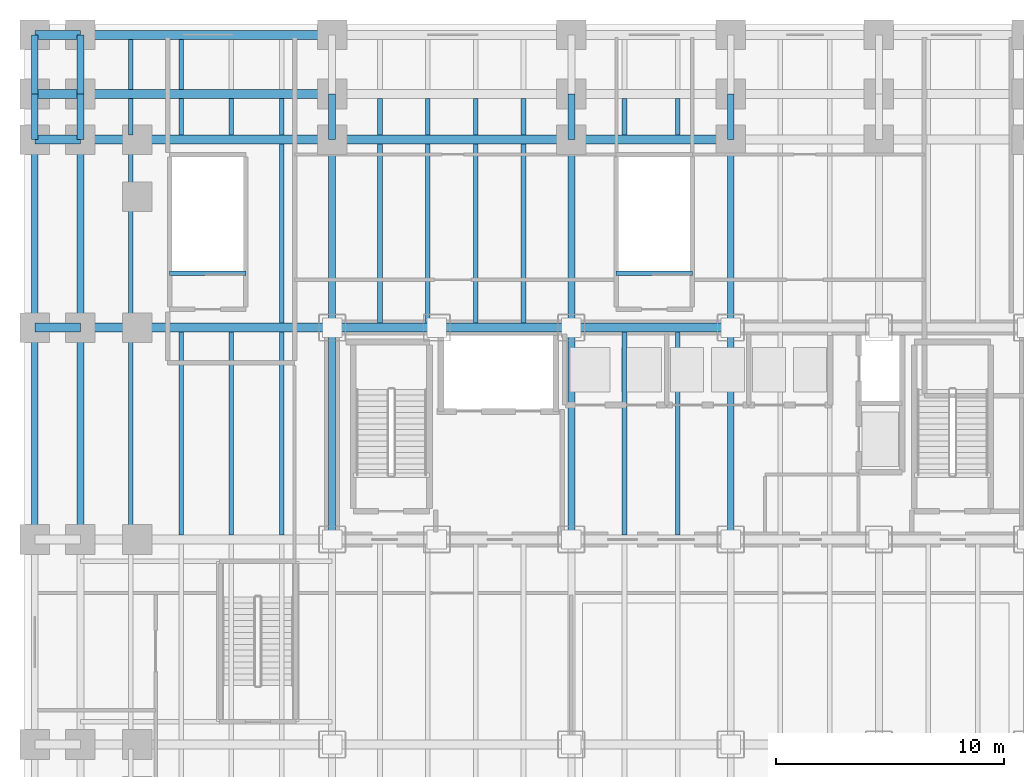
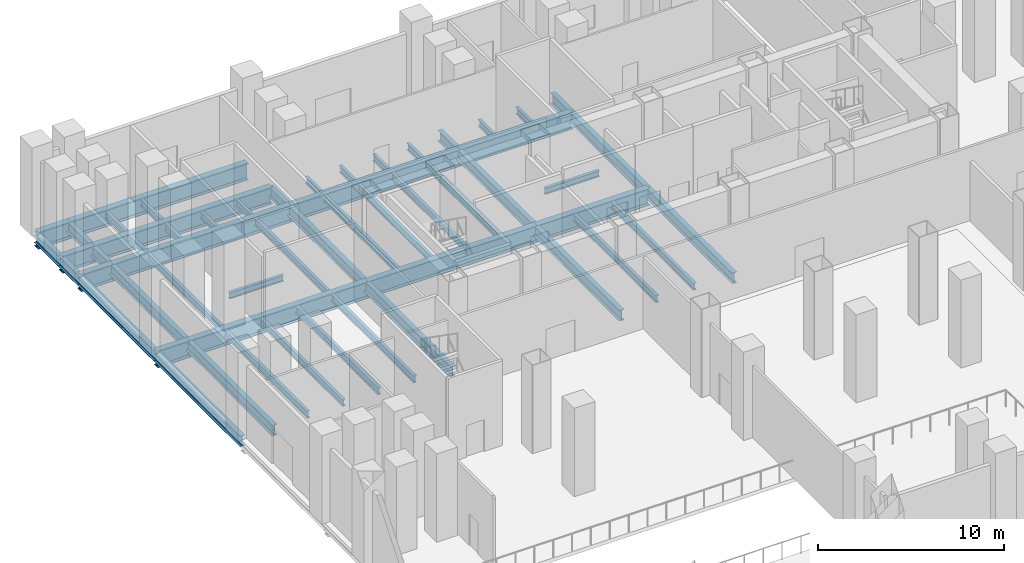
# One storey, part 15 of 36: 55 beams.
"""IFC4 building model written with IfcOpenShell, lengths in metres."""

from ifc_helpers import new_model, si_unit, direction, frame, origin, origin_2d, place, context, subcontext, project, spatial, i_section, extrude, material, material_profile, profile_set, type_object, element, save


model = new_model("IFC4")

# Units and contexts
model_context = context("Model", 3, precision=1e-05, world=origin(), true_north=direction((0.0, 1.0)))
body_context = subcontext(model_context, "Body", "Model", "MODEL_VIEW")
ifc_project = project(units=[si_unit("LENGTHUNIT", "METRE"), si_unit("AREAUNIT", "SQUARE_METRE"), si_unit("VOLUMEUNIT", "CUBIC_METRE"), si_unit("PLANEANGLEUNIT", "RADIAN"), si_unit("MASSUNIT", "GRAM", prefix="KILO")], contexts=[model_context])

# Site, building, storey
site_placement = place(None, origin())
site = spatial("IfcSite", under=ifc_project, at=site_placement, CompositionType="ELEMENT")
building_placement = place(site_placement, origin())
building = spatial("IfcBuilding", under=site, at=building_placement, Name="Noeulbin Bourse Tower", CompositionType="ELEMENT")
storey_placement = place(building_placement, origin())
storey = spatial("IfcBuildingStorey", under=building, at=storey_placement, Name="L01", CompositionType="ELEMENT", Elevation=0.0)

# Beams
ifc_material_1 = material(Name="Steel S355", Category="steel")
ifc_material_profile_1 = material_profile(ifc_material_1, i_section(OverallWidth=0.300048828125, OverallDepth=0.699951171875, WebThickness=0.012939453125, FlangeThickness=0.02392578125, FilletRadius=0.02392578125, at=origin_2d()), Name="H-700x300x13x24", Category="LoadBearing")
ifc_profile_set_1 = profile_set([ifc_material_profile_1], Name="Steel S355")
beam_type_1 = type_object("IfcBeamType", Name="BM-GRD-700", PredefinedType="USERDEFINED", material=ifc_profile_set_1)
beam_1_placement = place(storey_placement, frame((0.449951171875, 29.0, -0.60009765625), z_axis=(0.0, 1.0, 0.0), x_axis=(-1.0, 0.0, 0.0)))
element("IfcBeam", 1, at=beam_1_placement, inside=storey, type_object=beam_type_1, Name="Podium Primary Girder NS L01-077", ObjectType="GIRDER", PredefinedType="USERDEFINED", context=body_context, shape_type="SweptSolid", body=[
    extrude(i_section(OverallWidth=0.300048828125, OverallDepth=0.699951171875, WebThickness=0.012939453125, FlangeThickness=0.02392578125, FilletRadius=0.02392578125, at=origin_2d()), origin(), (0.0, 0.0, 1.0), 9.300048828125),
])
beam_2_placement = place(storey_placement, frame((0.449951171875, 38.300048828125, -0.60009765625), z_axis=(0.0, 1.0, 0.0), x_axis=(-1.0, 0.0, 0.0)))
element("IfcBeam", 2, at=beam_2_placement, inside=storey, type_object=beam_type_1, Name="Podium Primary Girder NS L01-078", ObjectType="GIRDER", PredefinedType="USERDEFINED", context=body_context, shape_type="SweptSolid", body=[
    extrude(i_section(OverallWidth=0.300048828125, OverallDepth=0.699951171875, WebThickness=0.012939453125, FlangeThickness=0.02392578125, FilletRadius=0.02392578125, at=origin_2d()), origin(), (0.0, 0.0, 1.0), 8.25),
])
beam_3_placement = place(storey_placement, frame((0.449951171875, 46.550048828125, -0.60009765625), z_axis=(0.0, 1.0, 0.0), x_axis=(-1.0, 0.0, 0.0)))
element("IfcBeam", 3, at=beam_3_placement, inside=storey, type_object=beam_type_1, Name="Podium Primary Girder NS L01-079", ObjectType="GIRDER", PredefinedType="USERDEFINED", context=body_context, shape_type="SweptSolid", body=[
    extrude(i_section(OverallWidth=0.300048828125, OverallDepth=0.699951171875, WebThickness=0.012939453125, FlangeThickness=0.02392578125, FilletRadius=0.02392578125, at=origin_2d()), origin(), (0.0, 0.0, 1.0), 2.0),
])
beam_4_placement = place(storey_placement, frame((0.449951171875, 48.550048828125, -0.60009765625), z_axis=(0.0, 1.0, 0.0), x_axis=(-1.0, 0.0, 0.0)))
element("IfcBeam", 4, at=beam_4_placement, inside=storey, type_object=beam_type_1, Name="Podium Primary Girder NS L01-080", ObjectType="GIRDER", PredefinedType="USERDEFINED", context=body_context, shape_type="SweptSolid", body=[
    extrude(i_section(OverallWidth=0.300048828125, OverallDepth=0.699951171875, WebThickness=0.012939453125, FlangeThickness=0.02392578125, FilletRadius=0.02392578125, at=origin_2d()), origin(), (0.0, 0.0, 1.0), 2.599853515625),
])
beam_5_placement = place(storey_placement, frame((2.449951171875, 29.0, -0.60009765625), z_axis=(0.0, 1.0, 0.0), x_axis=(-1.0, 0.0, 0.0)))
element("IfcBeam", 5, at=beam_5_placement, inside=storey, type_object=beam_type_1, Name="Podium Primary Girder NS L01-084", ObjectType="GIRDER", PredefinedType="USERDEFINED", context=body_context, shape_type="SweptSolid", body=[
    extrude(i_section(OverallWidth=0.300048828125, OverallDepth=0.699951171875, WebThickness=0.012939453125, FlangeThickness=0.02392578125, FilletRadius=0.02392578125, at=origin_2d()), origin(), (0.0, 0.0, 1.0), 9.300048828125),
])
beam_6_placement = place(storey_placement, frame((2.449951171875, 38.300048828125, -0.60009765625), z_axis=(0.0, 1.0, 0.0), x_axis=(-1.0, 0.0, 0.0)))
element("IfcBeam", 6, at=beam_6_placement, inside=storey, type_object=beam_type_1, Name="Podium Primary Girder NS L01-085", ObjectType="GIRDER", PredefinedType="USERDEFINED", context=body_context, shape_type="SweptSolid", body=[
    extrude(i_section(OverallWidth=0.300048828125, OverallDepth=0.699951171875, WebThickness=0.012939453125, FlangeThickness=0.02392578125, FilletRadius=0.02392578125, at=origin_2d()), origin(), (0.0, 0.0, 1.0), 8.25),
])
beam_7_placement = place(storey_placement, frame((2.449951171875, 46.550048828125, -0.60009765625), z_axis=(0.0, 1.0, 0.0), x_axis=(-1.0, 0.0, 0.0)))
element("IfcBeam", 7, at=beam_7_placement, inside=storey, type_object=beam_type_1, Name="Podium Primary Girder NS L01-086", ObjectType="GIRDER", PredefinedType="USERDEFINED", context=body_context, shape_type="SweptSolid", body=[
    extrude(i_section(OverallWidth=0.300048828125, OverallDepth=0.699951171875, WebThickness=0.012939453125, FlangeThickness=0.02392578125, FilletRadius=0.02392578125, at=origin_2d()), origin(), (0.0, 0.0, 1.0), 2.0),
])
beam_8_placement = place(storey_placement, frame((2.449951171875, 48.550048828125, -0.60009765625), z_axis=(0.0, 1.0, 0.0), x_axis=(-1.0, 0.0, 0.0)))
element("IfcBeam", 8, at=beam_8_placement, inside=storey, type_object=beam_type_1, Name="Podium Primary Girder NS L01-087", ObjectType="GIRDER", PredefinedType="USERDEFINED", context=body_context, shape_type="SweptSolid", body=[
    extrude(i_section(OverallWidth=0.300048828125, OverallDepth=0.699951171875, WebThickness=0.012939453125, FlangeThickness=0.02392578125, FilletRadius=0.02392578125, at=origin_2d()), origin(), (0.0, 0.0, 1.0), 2.599853515625),
])
beam_9_placement = place(storey_placement, frame((13.5, 29.0, -0.60009765625), z_axis=(0.0, 1.0, 0.0), x_axis=(-1.0, 0.0, 0.0)))
element("IfcBeam", 9, at=beam_9_placement, inside=storey, type_object=beam_type_1, Name="Podium Primary Girder NS L01-091", ObjectType="GIRDER", PredefinedType="USERDEFINED", context=body_context, shape_type="SweptSolid", body=[
    extrude(i_section(OverallWidth=0.300048828125, OverallDepth=0.699951171875, WebThickness=0.012939453125, FlangeThickness=0.02392578125, FilletRadius=0.02392578125, at=origin_2d()), origin(), (0.0, 0.0, 1.0), 9.300048828125),
])
beam_10_placement = place(storey_placement, frame((13.5, 38.300048828125, -0.60009765625), z_axis=(0.0, 1.0, 0.0), x_axis=(-1.0, 0.0, 0.0)))
element("IfcBeam", 10, at=beam_10_placement, inside=storey, type_object=beam_type_1, Name="Podium Primary Girder NS L01-092", ObjectType="GIRDER", PredefinedType="USERDEFINED", context=body_context, shape_type="SweptSolid", body=[
    extrude(i_section(OverallWidth=0.300048828125, OverallDepth=0.699951171875, WebThickness=0.012939453125, FlangeThickness=0.02392578125, FilletRadius=0.02392578125, at=origin_2d()), origin(), (0.0, 0.0, 1.0), 8.25),
])
beam_11_placement = place(storey_placement, frame((13.5, 46.550048828125, -0.60009765625), z_axis=(0.0, 1.0, 0.0), x_axis=(-1.0, 0.0, 0.0)))
element("IfcBeam", 11, at=beam_11_placement, inside=storey, type_object=beam_type_1, Name="Podium Primary Girder NS L01-093", ObjectType="GIRDER", PredefinedType="USERDEFINED", context=body_context, shape_type="SweptSolid", body=[
    extrude(i_section(OverallWidth=0.300048828125, OverallDepth=0.699951171875, WebThickness=0.012939453125, FlangeThickness=0.02392578125, FilletRadius=0.02392578125, at=origin_2d()), origin(), (0.0, 0.0, 1.0), 2.0),
])
beam_12_placement = place(storey_placement, frame((24.0, 29.0, -0.60009765625), z_axis=(0.0, 1.0, 0.0), x_axis=(-1.0, 0.0, 0.0)))
element("IfcBeam", 12, at=beam_12_placement, inside=storey, type_object=beam_type_1, Name="Podium Primary Girder NS L01-098", ObjectType="GIRDER", PredefinedType="USERDEFINED", context=body_context, shape_type="SweptSolid", body=[
    extrude(i_section(OverallWidth=0.300048828125, OverallDepth=0.699951171875, WebThickness=0.012939453125, FlangeThickness=0.02392578125, FilletRadius=0.02392578125, at=origin_2d()), origin(), (0.0, 0.0, 1.0), 9.300048828125),
])
beam_13_placement = place(storey_placement, frame((24.0, 38.300048828125, -0.60009765625), z_axis=(0.0, 1.0, 0.0), x_axis=(-1.0, 0.0, 0.0)))
element("IfcBeam", 13, at=beam_13_placement, inside=storey, type_object=beam_type_1, Name="Podium Primary Girder NS L01-099", ObjectType="GIRDER", PredefinedType="USERDEFINED", context=body_context, shape_type="SweptSolid", body=[
    extrude(i_section(OverallWidth=0.300048828125, OverallDepth=0.699951171875, WebThickness=0.012939453125, FlangeThickness=0.02392578125, FilletRadius=0.02392578125, at=origin_2d()), origin(), (0.0, 0.0, 1.0), 8.25),
])
beam_14_placement = place(storey_placement, frame((24.0, 46.550048828125, -0.60009765625), z_axis=(0.0, 1.0, 0.0), x_axis=(-1.0, 0.0, 0.0)))
element("IfcBeam", 14, at=beam_14_placement, inside=storey, type_object=beam_type_1, Name="Podium Primary Girder NS L01-100", ObjectType="GIRDER", PredefinedType="USERDEFINED", context=body_context, shape_type="SweptSolid", body=[
    extrude(i_section(OverallWidth=0.300048828125, OverallDepth=0.699951171875, WebThickness=0.012939453125, FlangeThickness=0.02392578125, FilletRadius=0.02392578125, at=origin_2d()), origin(), (0.0, 0.0, 1.0), 2.0),
])
beam_15_placement = place(storey_placement, frame((31.0, 29.0, -0.60009765625), z_axis=(0.0, 1.0, 0.0), x_axis=(-1.0, 0.0, 0.0)))
element("IfcBeam", 15, at=beam_15_placement, inside=storey, type_object=beam_type_1, Name="Podium Primary Girder NS L01-105", ObjectType="GIRDER", PredefinedType="USERDEFINED", context=body_context, shape_type="SweptSolid", body=[
    extrude(i_section(OverallWidth=0.300048828125, OverallDepth=0.699951171875, WebThickness=0.012939453125, FlangeThickness=0.02392578125, FilletRadius=0.02392578125, at=origin_2d()), origin(), (0.0, 0.0, 1.0), 9.300048828125),
])
beam_16_placement = place(storey_placement, frame((31.0, 38.300048828125, -0.60009765625), z_axis=(0.0, 1.0, 0.0), x_axis=(-1.0, 0.0, 0.0)))
element("IfcBeam", 16, at=beam_16_placement, inside=storey, type_object=beam_type_1, Name="Podium Primary Girder NS L01-106", ObjectType="GIRDER", PredefinedType="USERDEFINED", context=body_context, shape_type="SweptSolid", body=[
    extrude(i_section(OverallWidth=0.300048828125, OverallDepth=0.699951171875, WebThickness=0.012939453125, FlangeThickness=0.02392578125, FilletRadius=0.02392578125, at=origin_2d()), origin(), (0.0, 0.0, 1.0), 8.25),
])
beam_17_placement = place(storey_placement, frame((31.0, 46.550048828125, -0.60009765625), z_axis=(0.0, 1.0, 0.0), x_axis=(-1.0, 0.0, 0.0)))
element("IfcBeam", 17, at=beam_17_placement, inside=storey, type_object=beam_type_1, Name="Podium Primary Girder NS L01-107", ObjectType="GIRDER", PredefinedType="USERDEFINED", context=body_context, shape_type="SweptSolid", body=[
    extrude(i_section(OverallWidth=0.300048828125, OverallDepth=0.699951171875, WebThickness=0.012939453125, FlangeThickness=0.02392578125, FilletRadius=0.02392578125, at=origin_2d()), origin(), (0.0, 0.0, 1.0), 2.0),
])
ifc_material_profile_2 = material_profile(ifc_material_1, i_section(OverallWidth=0.199951171875, OverallDepth=0.39990234375, WebThickness=0.008056640625, FlangeThickness=0.012939453125, FilletRadius=0.01611328125, at=origin_2d()), Name="H-400x200x8x13", Category="LoadBearing")
ifc_profile_set_2 = profile_set([ifc_material_profile_2], Name="Steel S355")
beam_type_2 = type_object("IfcBeamType", Name="BM-SEC-400", PredefinedType="BEAM", material=ifc_profile_set_2)
beam_18_placement = place(storey_placement, frame((6.360107421875, 40.68994140625, -0.199951171875), z_axis=(1.0, 0.0, 0.0), x_axis=(0.0, 1.0, 0.0)))
element("IfcBeam", 18, at=beam_18_placement, inside=storey, type_object=beam_type_2, Name="Stair Threshold Trimmer Beam STS1-L01", PredefinedType="BEAM", context=body_context, shape_type="SweptSolid", body=[
    extrude(i_section(OverallWidth=0.199951171875, OverallDepth=0.39990234375, WebThickness=0.008056640625, FlangeThickness=0.012939453125, FilletRadius=0.01611328125, at=origin_2d()), origin(), (0.0, 0.0, 1.0), 3.35986328125),
])
beam_19_placement = place(storey_placement, frame((25.9599609375, 40.68994140625, -0.199951171875), z_axis=(1.0, 0.0, 0.0), x_axis=(0.0, 1.0, 0.0)))
element("IfcBeam", 19, at=beam_19_placement, inside=storey, type_object=beam_type_2, Name="Stair Threshold Trimmer Beam STS2-L01", PredefinedType="BEAM", context=body_context, shape_type="SweptSolid", body=[
    extrude(i_section(OverallWidth=0.199951171875, OverallDepth=0.39990234375, WebThickness=0.008056640625, FlangeThickness=0.012939453125, FilletRadius=0.01611328125, at=origin_2d()), origin(), (0.0, 0.0, 1.0), 3.360107421875),
])
ifc_material_profile_3 = material_profile(ifc_material_1, i_section(OverallWidth=0.199951171875, OverallDepth=0.449951171875, WebThickness=0.009033203125, FlangeThickness=0.013916015625, FilletRadius=0.01806640625, at=origin_2d()), Name="H-450x200x9x14", Category="LoadBearing")
ifc_profile_set_3 = profile_set([ifc_material_profile_3], Name="Steel S355")
beam_type_3 = type_object("IfcBeamType", Name="BM-SEC-450", PredefinedType="BEAM", material=ifc_profile_set_3)
beam_20_placement = place(storey_placement, frame((4.659912109375, 29.199951171875, -0.47509765625), z_axis=(0.0, 1.0, 0.0), x_axis=(-1.0, 0.0, 0.0)))
element("IfcBeam", 20, at=beam_20_placement, inside=storey, type_object=beam_type_3, Name="Podium Secondary Beam L01-004", PredefinedType="BEAM", context=body_context, shape_type="SweptSolid", body=[
    extrude(i_section(OverallWidth=0.199951171875, OverallDepth=0.449951171875, WebThickness=0.009033203125, FlangeThickness=0.013916015625, FilletRadius=0.01806640625, at=origin_2d()), origin(), (0.0, 0.0, 1.0), 8.900146484375),
])
beam_21_placement = place(storey_placement, frame((4.659912109375, 38.5, -0.47509765625), z_axis=(0.0, 1.0, 0.0), x_axis=(-1.0, 0.0, 0.0)))
element("IfcBeam", 21, at=beam_21_placement, inside=storey, type_object=beam_type_3, Name="Podium Secondary Beam L01-005", PredefinedType="BEAM", context=body_context, shape_type="SweptSolid", body=[
    extrude(i_section(OverallWidth=0.199951171875, OverallDepth=0.449951171875, WebThickness=0.009033203125, FlangeThickness=0.013916015625, FilletRadius=0.01806640625, at=origin_2d()), origin(), (0.0, 0.0, 1.0), 7.85009765625),
])
beam_22_placement = place(storey_placement, frame((4.659912109375, 46.75, -0.47509765625), z_axis=(0.0, 1.0, 0.0), x_axis=(-1.0, 0.0, 0.0)))
element("IfcBeam", 22, at=beam_22_placement, inside=storey, type_object=beam_type_3, Name="Podium Secondary Beam L01-006", PredefinedType="BEAM", context=body_context, shape_type="SweptSolid", body=[
    extrude(i_section(OverallWidth=0.199951171875, OverallDepth=0.449951171875, WebThickness=0.009033203125, FlangeThickness=0.013916015625, FilletRadius=0.01806640625, at=origin_2d()), origin(), (0.0, 0.0, 1.0), 1.60009765625),
])
beam_23_placement = place(storey_placement, frame((4.659912109375, 48.75, -0.47509765625), z_axis=(0.0, 1.0, 0.0), x_axis=(-1.0, 0.0, 0.0)))
element("IfcBeam", 23, at=beam_23_placement, inside=storey, type_object=beam_type_3, Name="Podium Secondary Beam L01-007", PredefinedType="BEAM", context=body_context, shape_type="SweptSolid", body=[
    extrude(i_section(OverallWidth=0.199951171875, OverallDepth=0.449951171875, WebThickness=0.009033203125, FlangeThickness=0.013916015625, FilletRadius=0.01806640625, at=origin_2d()), origin(), (0.0, 0.0, 1.0), 2.199951171875),
])
beam_24_placement = place(storey_placement, frame((6.8701171875, 29.199951171875, -0.47509765625), z_axis=(0.0, 1.0, 0.0), x_axis=(-1.0, 0.0, 0.0)))
element("IfcBeam", 24, at=beam_24_placement, inside=storey, type_object=beam_type_3, Name="Podium Secondary Beam L01-011", PredefinedType="BEAM", context=body_context, shape_type="SweptSolid", body=[
    extrude(i_section(OverallWidth=0.199951171875, OverallDepth=0.449951171875, WebThickness=0.009033203125, FlangeThickness=0.013916015625, FilletRadius=0.01806640625, at=origin_2d()), origin(), (0.0, 0.0, 1.0), 8.900146484375),
])
beam_25_placement = place(storey_placement, frame((6.8701171875, 46.75, -0.47509765625), z_axis=(0.0, 1.0, 0.0), x_axis=(-1.0, 0.0, 0.0)))
element("IfcBeam", 25, at=beam_25_placement, inside=storey, type_object=beam_type_3, Name="Podium Secondary Beam L01-012", PredefinedType="BEAM", context=body_context, shape_type="SweptSolid", body=[
    extrude(i_section(OverallWidth=0.199951171875, OverallDepth=0.449951171875, WebThickness=0.009033203125, FlangeThickness=0.013916015625, FilletRadius=0.01806640625, at=origin_2d()), origin(), (0.0, 0.0, 1.0), 1.60009765625),
])
beam_26_placement = place(storey_placement, frame((6.8701171875, 48.75, -0.47509765625), z_axis=(0.0, 1.0, 0.0), x_axis=(-1.0, 0.0, 0.0)))
element("IfcBeam", 26, at=beam_26_placement, inside=storey, type_object=beam_type_3, Name="Podium Secondary Beam L01-013", PredefinedType="BEAM", context=body_context, shape_type="SweptSolid", body=[
    extrude(i_section(OverallWidth=0.199951171875, OverallDepth=0.449951171875, WebThickness=0.009033203125, FlangeThickness=0.013916015625, FilletRadius=0.01806640625, at=origin_2d()), origin(), (0.0, 0.0, 1.0), 2.199951171875),
])
beam_27_placement = place(storey_placement, frame((9.080078125, 29.199951171875, -0.47509765625), z_axis=(0.0, 1.0, 0.0), x_axis=(-1.0, 0.0, 0.0)))
element("IfcBeam", 27, at=beam_27_placement, inside=storey, type_object=beam_type_3, Name="Podium Secondary Beam L01-017", PredefinedType="BEAM", context=body_context, shape_type="SweptSolid", body=[
    extrude(i_section(OverallWidth=0.199951171875, OverallDepth=0.449951171875, WebThickness=0.009033203125, FlangeThickness=0.013916015625, FilletRadius=0.01806640625, at=origin_2d()), origin(), (0.0, 0.0, 1.0), 8.900146484375),
])
beam_28_placement = place(storey_placement, frame((9.080078125, 46.75, -0.47509765625), z_axis=(0.0, 1.0, 0.0), x_axis=(-1.0, 0.0, 0.0)))
element("IfcBeam", 28, at=beam_28_placement, inside=storey, type_object=beam_type_3, Name="Podium Secondary Beam L01-018", PredefinedType="BEAM", context=body_context, shape_type="SweptSolid", body=[
    extrude(i_section(OverallWidth=0.199951171875, OverallDepth=0.449951171875, WebThickness=0.009033203125, FlangeThickness=0.013916015625, FilletRadius=0.01806640625, at=origin_2d()), origin(), (0.0, 0.0, 1.0), 1.60009765625),
])
beam_29_placement = place(storey_placement, frame((11.2900390625, 29.199951171875, -0.47509765625), z_axis=(0.0, 1.0, 0.0), x_axis=(-1.0, 0.0, 0.0)))
element("IfcBeam", 29, at=beam_29_placement, inside=storey, type_object=beam_type_3, Name="Podium Secondary Beam L01-023", PredefinedType="BEAM", context=body_context, shape_type="SweptSolid", body=[
    extrude(i_section(OverallWidth=0.199951171875, OverallDepth=0.449951171875, WebThickness=0.009033203125, FlangeThickness=0.013916015625, FilletRadius=0.01806640625, at=origin_2d()), origin(), (0.0, 0.0, 1.0), 8.900146484375),
])
beam_30_placement = place(storey_placement, frame((11.2900390625, 38.5, -0.47509765625), z_axis=(0.0, 1.0, 0.0), x_axis=(-1.0, 0.0, 0.0)))
element("IfcBeam", 30, at=beam_30_placement, inside=storey, type_object=beam_type_3, Name="Podium Secondary Beam L01-024", PredefinedType="BEAM", context=body_context, shape_type="SweptSolid", body=[
    extrude(i_section(OverallWidth=0.199951171875, OverallDepth=0.449951171875, WebThickness=0.009033203125, FlangeThickness=0.013916015625, FilletRadius=0.01806640625, at=origin_2d()), origin(), (0.0, 0.0, 1.0), 7.85009765625),
])
beam_31_placement = place(storey_placement, frame((11.2900390625, 46.75, -0.47509765625), z_axis=(0.0, 1.0, 0.0), x_axis=(-1.0, 0.0, 0.0)))
element("IfcBeam", 31, at=beam_31_placement, inside=storey, type_object=beam_type_3, Name="Podium Secondary Beam L01-025", PredefinedType="BEAM", context=body_context, shape_type="SweptSolid", body=[
    extrude(i_section(OverallWidth=0.199951171875, OverallDepth=0.449951171875, WebThickness=0.009033203125, FlangeThickness=0.013916015625, FilletRadius=0.01806640625, at=origin_2d()), origin(), (0.0, 0.0, 1.0), 1.60009765625),
])
beam_32_placement = place(storey_placement, frame((15.60009765625, 38.5, -0.47509765625), z_axis=(0.0, 1.0, 0.0), x_axis=(-1.0, 0.0, 0.0)))
element("IfcBeam", 32, at=beam_32_placement, inside=storey, type_object=beam_type_3, Name="Podium Secondary Beam L01-030", PredefinedType="BEAM", context=body_context, shape_type="SweptSolid", body=[
    extrude(i_section(OverallWidth=0.199951171875, OverallDepth=0.449951171875, WebThickness=0.009033203125, FlangeThickness=0.013916015625, FilletRadius=0.01806640625, at=origin_2d()), origin(), (0.0, 0.0, 1.0), 7.85009765625),
])
beam_33_placement = place(storey_placement, frame((15.60009765625, 46.75, -0.47509765625), z_axis=(0.0, 1.0, 0.0), x_axis=(-1.0, 0.0, 0.0)))
element("IfcBeam", 33, at=beam_33_placement, inside=storey, type_object=beam_type_3, Name="Podium Secondary Beam L01-031", PredefinedType="BEAM", context=body_context, shape_type="SweptSolid", body=[
    extrude(i_section(OverallWidth=0.199951171875, OverallDepth=0.449951171875, WebThickness=0.009033203125, FlangeThickness=0.013916015625, FilletRadius=0.01806640625, at=origin_2d()), origin(), (0.0, 0.0, 1.0), 1.60009765625),
])
beam_34_placement = place(storey_placement, frame((17.699951171875, 38.5, -0.47509765625), z_axis=(0.0, 1.0, 0.0), x_axis=(-1.0, 0.0, 0.0)))
element("IfcBeam", 34, at=beam_34_placement, inside=storey, type_object=beam_type_3, Name="Podium Secondary Beam L01-036", PredefinedType="BEAM", context=body_context, shape_type="SweptSolid", body=[
    extrude(i_section(OverallWidth=0.199951171875, OverallDepth=0.449951171875, WebThickness=0.009033203125, FlangeThickness=0.013916015625, FilletRadius=0.01806640625, at=origin_2d()), origin(), (0.0, 0.0, 1.0), 7.85009765625),
])
beam_35_placement = place(storey_placement, frame((17.699951171875, 46.75, -0.47509765625), z_axis=(0.0, 1.0, 0.0), x_axis=(-1.0, 0.0, 0.0)))
element("IfcBeam", 35, at=beam_35_placement, inside=storey, type_object=beam_type_3, Name="Podium Secondary Beam L01-037", PredefinedType="BEAM", context=body_context, shape_type="SweptSolid", body=[
    extrude(i_section(OverallWidth=0.199951171875, OverallDepth=0.449951171875, WebThickness=0.009033203125, FlangeThickness=0.013916015625, FilletRadius=0.01806640625, at=origin_2d()), origin(), (0.0, 0.0, 1.0), 1.60009765625),
])
beam_36_placement = place(storey_placement, frame((19.800048828125, 38.5, -0.47509765625), z_axis=(0.0, 1.0, 0.0), x_axis=(-1.0, 0.0, 0.0)))
element("IfcBeam", 36, at=beam_36_placement, inside=storey, type_object=beam_type_3, Name="Podium Secondary Beam L01-042", PredefinedType="BEAM", context=body_context, shape_type="SweptSolid", body=[
    extrude(i_section(OverallWidth=0.199951171875, OverallDepth=0.449951171875, WebThickness=0.009033203125, FlangeThickness=0.013916015625, FilletRadius=0.01806640625, at=origin_2d()), origin(), (0.0, 0.0, 1.0), 7.85009765625),
])
beam_37_placement = place(storey_placement, frame((19.800048828125, 46.75, -0.47509765625), z_axis=(0.0, 1.0, 0.0), x_axis=(-1.0, 0.0, 0.0)))
element("IfcBeam", 37, at=beam_37_placement, inside=storey, type_object=beam_type_3, Name="Podium Secondary Beam L01-043", PredefinedType="BEAM", context=body_context, shape_type="SweptSolid", body=[
    extrude(i_section(OverallWidth=0.199951171875, OverallDepth=0.449951171875, WebThickness=0.009033203125, FlangeThickness=0.013916015625, FilletRadius=0.01806640625, at=origin_2d()), origin(), (0.0, 0.0, 1.0), 1.60009765625),
])
beam_38_placement = place(storey_placement, frame((21.89990234375, 38.5, -0.47509765625), z_axis=(0.0, 1.0, 0.0), x_axis=(-1.0, 0.0, 0.0)))
element("IfcBeam", 38, at=beam_38_placement, inside=storey, type_object=beam_type_3, Name="Podium Secondary Beam L01-048", PredefinedType="BEAM", context=body_context, shape_type="SweptSolid", body=[
    extrude(i_section(OverallWidth=0.199951171875, OverallDepth=0.449951171875, WebThickness=0.009033203125, FlangeThickness=0.013916015625, FilletRadius=0.01806640625, at=origin_2d()), origin(), (0.0, 0.0, 1.0), 7.85009765625),
])
beam_39_placement = place(storey_placement, frame((21.89990234375, 46.75, -0.47509765625), z_axis=(0.0, 1.0, 0.0), x_axis=(-1.0, 0.0, 0.0)))
element("IfcBeam", 39, at=beam_39_placement, inside=storey, type_object=beam_type_3, Name="Podium Secondary Beam L01-049", PredefinedType="BEAM", context=body_context, shape_type="SweptSolid", body=[
    extrude(i_section(OverallWidth=0.199951171875, OverallDepth=0.449951171875, WebThickness=0.009033203125, FlangeThickness=0.013916015625, FilletRadius=0.01806640625, at=origin_2d()), origin(), (0.0, 0.0, 1.0), 1.60009765625),
])
beam_40_placement = place(storey_placement, frame((26.333251953125, 29.199951171875, -0.47509765625), z_axis=(0.0, 1.0, 0.0), x_axis=(-1.0, 0.0, 0.0)))
element("IfcBeam", 40, at=beam_40_placement, inside=storey, type_object=beam_type_3, Name="Podium Secondary Beam L01-054", PredefinedType="BEAM", context=body_context, shape_type="SweptSolid", body=[
    extrude(i_section(OverallWidth=0.199951171875, OverallDepth=0.449951171875, WebThickness=0.009033203125, FlangeThickness=0.013916015625, FilletRadius=0.01806640625, at=origin_2d()), origin(), (0.0, 0.0, 1.0), 8.900146484375),
])
beam_41_placement = place(storey_placement, frame((26.333251953125, 46.75, -0.47509765625), z_axis=(0.0, 1.0, 0.0), x_axis=(-1.0, 0.0, 0.0)))
element("IfcBeam", 41, at=beam_41_placement, inside=storey, type_object=beam_type_3, Name="Podium Secondary Beam L01-055", PredefinedType="BEAM", context=body_context, shape_type="SweptSolid", body=[
    extrude(i_section(OverallWidth=0.199951171875, OverallDepth=0.449951171875, WebThickness=0.009033203125, FlangeThickness=0.013916015625, FilletRadius=0.01806640625, at=origin_2d()), origin(), (0.0, 0.0, 1.0), 1.60009765625),
])
beam_42_placement = place(storey_placement, frame((28.666748046875, 29.199951171875, -0.47509765625), z_axis=(0.0, 1.0, 0.0), x_axis=(-1.0, 0.0, 0.0)))
element("IfcBeam", 42, at=beam_42_placement, inside=storey, type_object=beam_type_3, Name="Podium Secondary Beam L01-060", PredefinedType="BEAM", context=body_context, shape_type="SweptSolid", body=[
    extrude(i_section(OverallWidth=0.199951171875, OverallDepth=0.449951171875, WebThickness=0.009033203125, FlangeThickness=0.013916015625, FilletRadius=0.01806640625, at=origin_2d()), origin(), (0.0, 0.0, 1.0), 8.900146484375),
])
beam_43_placement = place(storey_placement, frame((28.666748046875, 46.75, -0.47509765625), z_axis=(0.0, 1.0, 0.0), x_axis=(-1.0, 0.0, 0.0)))
element("IfcBeam", 43, at=beam_43_placement, inside=storey, type_object=beam_type_3, Name="Podium Secondary Beam L01-061", PredefinedType="BEAM", context=body_context, shape_type="SweptSolid", body=[
    extrude(i_section(OverallWidth=0.199951171875, OverallDepth=0.449951171875, WebThickness=0.009033203125, FlangeThickness=0.013916015625, FilletRadius=0.01806640625, at=origin_2d()), origin(), (0.0, 0.0, 1.0), 1.60009765625),
])
ifc_material_2 = material(Name="Steel S460", Category="steel")
ifc_material_profile_4 = material_profile(ifc_material_2, i_section(OverallWidth=0.39990234375, OverallDepth=1.10009765625, WebThickness=0.02001953125, FlangeThickness=0.035888671875, FilletRadius=0.02392578125, at=origin_2d()), Name="PG-1100x400x20x36", Category="LoadBearing")
ifc_profile_set_4 = profile_set([ifc_material_profile_4], Name="Steel S460")
beam_type_4 = type_object("IfcBeamType", Name="BM-TRF-1100", PredefinedType="USERDEFINED", material=ifc_profile_set_4)
beam_44_placement = place(storey_placement, frame((0.449951171875, 38.300048828125, -0.800048828125), z_axis=(1.0, 0.0, 0.0), x_axis=(0.0, 1.0, 0.0)))
element("IfcBeam", 44, at=beam_44_placement, inside=storey, type_object=beam_type_4, Name="Podium Primary Girder EW L01-041", ObjectType="GIRDER", PredefinedType="USERDEFINED", context=body_context, shape_type="SweptSolid", body=[
    extrude(i_section(OverallWidth=0.39990234375, OverallDepth=1.10009765625, WebThickness=0.02001953125, FlangeThickness=0.035888671875, FilletRadius=0.02392578125, at=origin_2d()), origin(), (0.0, 0.0, 1.0), 2.0),
])
beam_45_placement = place(storey_placement, frame((2.449951171875, 38.300048828125, -0.800048828125), z_axis=(1.0, 0.0, 0.0), x_axis=(0.0, 1.0, 0.0)))
element("IfcBeam", 45, at=beam_45_placement, inside=storey, type_object=beam_type_4, Name="Podium Primary Girder EW L01-042", ObjectType="GIRDER", PredefinedType="USERDEFINED", context=body_context, shape_type="SweptSolid", body=[
    extrude(i_section(OverallWidth=0.39990234375, OverallDepth=1.10009765625, WebThickness=0.02001953125, FlangeThickness=0.035888671875, FilletRadius=0.02392578125, at=origin_2d()), origin(), (0.0, 0.0, 1.0), 11.050048828125),
])
beam_46_placement = place(storey_placement, frame((13.5, 38.300048828125, -0.800048828125), z_axis=(1.0, 0.0, 0.0), x_axis=(0.0, 1.0, 0.0)))
element("IfcBeam", 46, at=beam_46_placement, inside=storey, type_object=beam_type_4, Name="Podium Primary Girder EW L01-043", ObjectType="GIRDER", PredefinedType="USERDEFINED", context=body_context, shape_type="SweptSolid", body=[
    extrude(i_section(OverallWidth=0.39990234375, OverallDepth=1.10009765625, WebThickness=0.02001953125, FlangeThickness=0.035888671875, FilletRadius=0.02392578125, at=origin_2d()), origin(), (0.0, 0.0, 1.0), 10.5),
])
beam_47_placement = place(storey_placement, frame((24.0, 38.300048828125, -0.800048828125), z_axis=(1.0, 0.0, 0.0), x_axis=(0.0, 1.0, 0.0)))
element("IfcBeam", 47, at=beam_47_placement, inside=storey, type_object=beam_type_4, Name="Podium Primary Girder EW L01-044", ObjectType="GIRDER", PredefinedType="USERDEFINED", context=body_context, shape_type="SweptSolid", body=[
    extrude(i_section(OverallWidth=0.39990234375, OverallDepth=1.10009765625, WebThickness=0.02001953125, FlangeThickness=0.035888671875, FilletRadius=0.02392578125, at=origin_2d()), origin(), (0.0, 0.0, 1.0), 7.0),
])
beam_48_placement = place(storey_placement, frame((0.449951171875, 46.550048828125, -0.800048828125), z_axis=(1.0, 0.0, 0.0), x_axis=(0.0, 1.0, 0.0)))
element("IfcBeam", 48, at=beam_48_placement, inside=storey, type_object=beam_type_4, Name="Podium Primary Girder EW L01-049", ObjectType="GIRDER", PredefinedType="USERDEFINED", context=body_context, shape_type="SweptSolid", body=[
    extrude(i_section(OverallWidth=0.39990234375, OverallDepth=1.10009765625, WebThickness=0.02001953125, FlangeThickness=0.035888671875, FilletRadius=0.02392578125, at=origin_2d()), origin(), (0.0, 0.0, 1.0), 2.0),
])
beam_49_placement = place(storey_placement, frame((2.449951171875, 46.550048828125, -0.800048828125), z_axis=(1.0, 0.0, 0.0), x_axis=(0.0, 1.0, 0.0)))
element("IfcBeam", 49, at=beam_49_placement, inside=storey, type_object=beam_type_4, Name="Podium Primary Girder EW L01-050", ObjectType="GIRDER", PredefinedType="USERDEFINED", context=body_context, shape_type="SweptSolid", body=[
    extrude(i_section(OverallWidth=0.39990234375, OverallDepth=1.10009765625, WebThickness=0.02001953125, FlangeThickness=0.035888671875, FilletRadius=0.02392578125, at=origin_2d()), origin(), (0.0, 0.0, 1.0), 11.050048828125),
])
beam_50_placement = place(storey_placement, frame((13.5, 46.550048828125, -0.800048828125), z_axis=(1.0, 0.0, 0.0), x_axis=(0.0, 1.0, 0.0)))
element("IfcBeam", 50, at=beam_50_placement, inside=storey, type_object=beam_type_4, Name="Podium Primary Girder EW L01-051", ObjectType="GIRDER", PredefinedType="USERDEFINED", context=body_context, shape_type="SweptSolid", body=[
    extrude(i_section(OverallWidth=0.39990234375, OverallDepth=1.10009765625, WebThickness=0.02001953125, FlangeThickness=0.035888671875, FilletRadius=0.02392578125, at=origin_2d()), origin(), (0.0, 0.0, 1.0), 10.5),
])
beam_51_placement = place(storey_placement, frame((24.0, 46.550048828125, -0.800048828125), z_axis=(1.0, 0.0, 0.0), x_axis=(0.0, 1.0, 0.0)))
element("IfcBeam", 51, at=beam_51_placement, inside=storey, type_object=beam_type_4, Name="Podium Primary Girder EW L01-052", ObjectType="GIRDER", PredefinedType="USERDEFINED", context=body_context, shape_type="SweptSolid", body=[
    extrude(i_section(OverallWidth=0.39990234375, OverallDepth=1.10009765625, WebThickness=0.02001953125, FlangeThickness=0.035888671875, FilletRadius=0.02392578125, at=origin_2d()), origin(), (0.0, 0.0, 1.0), 7.0),
])
beam_52_placement = place(storey_placement, frame((0.449951171875, 48.550048828125, -0.800048828125), z_axis=(1.0, 0.0, 0.0), x_axis=(0.0, 1.0, 0.0)))
element("IfcBeam", 52, at=beam_52_placement, inside=storey, type_object=beam_type_4, Name="Podium Primary Girder EW L01-057", ObjectType="GIRDER", PredefinedType="USERDEFINED", context=body_context, shape_type="SweptSolid", body=[
    extrude(i_section(OverallWidth=0.39990234375, OverallDepth=1.10009765625, WebThickness=0.02001953125, FlangeThickness=0.035888671875, FilletRadius=0.02392578125, at=origin_2d()), origin(), (0.0, 0.0, 1.0), 2.0),
])
beam_53_placement = place(storey_placement, frame((2.449951171875, 48.550048828125, -0.800048828125), z_axis=(1.0, 0.0, 0.0), x_axis=(0.0, 1.0, 0.0)))
element("IfcBeam", 53, at=beam_53_placement, inside=storey, type_object=beam_type_4, Name="Podium Primary Girder EW L01-058", ObjectType="GIRDER", PredefinedType="USERDEFINED", context=body_context, shape_type="SweptSolid", body=[
    extrude(i_section(OverallWidth=0.39990234375, OverallDepth=1.10009765625, WebThickness=0.02001953125, FlangeThickness=0.035888671875, FilletRadius=0.02392578125, at=origin_2d()), origin(), (0.0, 0.0, 1.0), 11.050048828125),
])
beam_54_placement = place(storey_placement, frame((0.449951171875, 51.14990234375, -0.800048828125), z_axis=(1.0, 0.0, 0.0), x_axis=(0.0, 1.0, 0.0)))
element("IfcBeam", 54, at=beam_54_placement, inside=storey, type_object=beam_type_4, Name="Podium Primary Girder EW L01-065", ObjectType="GIRDER", PredefinedType="USERDEFINED", context=body_context, shape_type="SweptSolid", body=[
    extrude(i_section(OverallWidth=0.39990234375, OverallDepth=1.10009765625, WebThickness=0.02001953125, FlangeThickness=0.035888671875, FilletRadius=0.02392578125, at=origin_2d()), origin(), (0.0, 0.0, 1.0), 2.0),
])
beam_55_placement = place(storey_placement, frame((2.449951171875, 51.14990234375, -0.800048828125), z_axis=(1.0, 0.0, 0.0), x_axis=(0.0, 1.0, 0.0)))
element("IfcBeam", 55, at=beam_55_placement, inside=storey, type_object=beam_type_4, Name="Podium Primary Girder EW L01-066", ObjectType="GIRDER", PredefinedType="USERDEFINED", context=body_context, shape_type="SweptSolid", body=[
    extrude(i_section(OverallWidth=0.39990234375, OverallDepth=1.10009765625, WebThickness=0.02001953125, FlangeThickness=0.035888671875, FilletRadius=0.02392578125, at=origin_2d()), origin(), (0.0, 0.0, 1.0), 11.050048828125),
])

save(model, "model.ifc")
